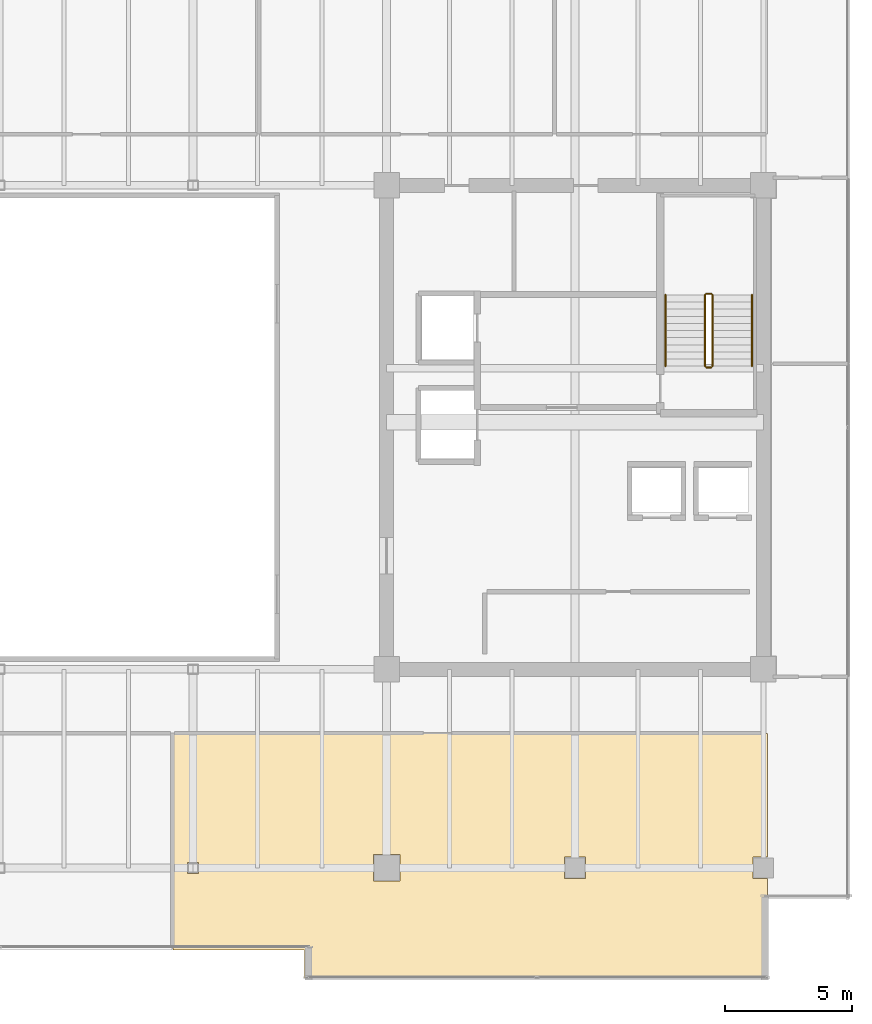
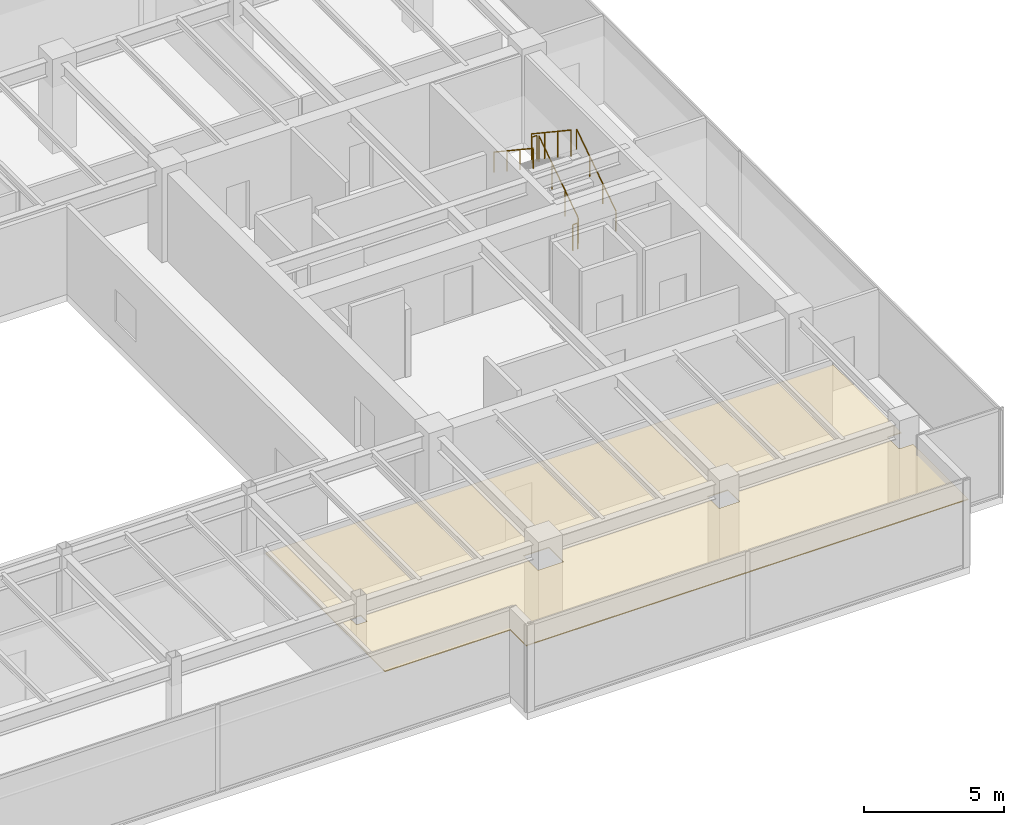
# One storey, part 34 of 35: 6 railings, 1 covering.
"""IFC4 building model written with IfcOpenShell, lengths in metres."""

from ifc_helpers import new_model, si_unit, direction, frame, origin, origin_2d, place, context, subcontext, project, spatial, polyline, circle, outline, extrude, source, transform, mapped, material, layer, layer_set, type_object, type_shapes, element, save


model = new_model("IFC4")

# Units and contexts
model_context = context("Model", 3, precision=1e-05, world=origin(), true_north=direction((0.0, 1.0)))
body_context = subcontext(model_context, "Body", "Model", "MODEL_VIEW")
ifc_project = project(units=[si_unit("LENGTHUNIT", "METRE"), si_unit("AREAUNIT", "SQUARE_METRE"), si_unit("VOLUMEUNIT", "CUBIC_METRE"), si_unit("PLANEANGLEUNIT", "RADIAN"), si_unit("MASSUNIT", "GRAM", prefix="KILO")], contexts=[model_context])

# Site, building, storey
site_placement = place(None, origin())
site = spatial("IfcSite", under=ifc_project, at=site_placement, CompositionType="ELEMENT")
building_placement = place(site_placement, origin())
building = spatial("IfcBuilding", under=site, at=building_placement, Name="Haelvirn Gate Laboratories", CompositionType="ELEMENT")
storey_placement = place(building_placement, frame((0.0, 0.0, 234.199951171875)))
storey = spatial("IfcBuildingStorey", under=building, at=storey_placement, Name="L56", CompositionType="ELEMENT", Elevation=234.199951171875)

# Covering
ifc_material_1 = material(Name="Micro-perforated acoustic mineral-fibre laboratory ceiling")
ifc_layer = layer(ifc_material_1, 0.0400390625, Name="COV-CEIL-ACT")
ifc_layer_set = layer_set([ifc_layer], Name="Micro-perforated acoustic mineral-fibre laboratory ceiling")
covering_type = type_object("IfcCoveringType", Name="COV-CEIL-ACT", PredefinedType="CEILING", material=ifc_layer_set)
covering_placement = place(storey_placement, frame((0.0, 0.0, 2.880126953125)))
element("IfcCovering", 1, at=covering_placement, inside=storey, type_object=covering_type, Name="L56 Laboratory Acoustic Ceiling CEIL-SP-L56-S-03", PredefinedType="CEILING", context=body_context, shape_type="SweptSolid", body=[
    extrude(outline(polyline([(67.550048828125, 7.419921875), (66.97998046875, 7.419921875), (66.97998046875, 6.580078125), (67.550048828125, 6.580078125), (67.550048828125, 2.64990234375), (49.3798828125, 2.64990234375), (49.3798828125, 3.780029296875), (44.219970703125, 3.780029296875), (44.219970703125, 12.280029296875), (67.550048828125, 12.280029296875), (67.550048828125, 7.419921875)]), holes=[polyline([(53.1201171875, 6.47998046875), (53.1201171875, 7.52001953125), (52.080078125, 7.52001953125), (52.080078125, 6.47998046875), (53.1201171875, 6.47998046875)]), polyline([(59.580078125, 6.580078125), (60.419921875, 6.580078125), (60.419921875, 7.419921875), (59.580078125, 7.419921875), (59.580078125, 6.580078125)]), polyline([(45.219970703125, 7.219970703125), (44.780029296875, 7.219970703125), (44.780029296875, 6.780029296875), (45.219970703125, 6.780029296875), (45.219970703125, 7.219970703125)])]), origin(), (0.0, 0.0, 1.0), 0.0400390625),
])

# Railings
ifc_material_2 = material(Name="Galvanised steel SM355 & stainless top rail", Category="steel")
railing_type_1 = type_object("IfcRailingType", Name="RL-GUARD-1150", PredefinedType="GUARDRAIL", material=ifc_material_2)
shared_shape_1 = source(origin(), body_context, "Body", "SweptSolid", [
    extrude(circle(Radius=0.02392578125, at=origin_2d()), frame((0.0, 0.0, 1.1259765625), z_axis=(0.0, 0.832485552168, 0.554046753832), x_axis=(-1.0, 0.0, 0.0)), (0.0, 0.0, 1.0), 3.363525390625),
    extrude(circle(Radius=0.02099609375, at=origin_2d()), origin(), (0.0, 0.0, 1.0), 1.101806640625),
    extrude(circle(Radius=0.02099609375, at=origin_2d()), frame((0.0, 0.933349609375, 0.62109375)), (0.0, 0.0, 1.0), 1.101806640625),
    extrude(circle(Radius=0.02099609375, at=origin_2d()), frame((0.0, 1.86669921875, 1.242431640625)), (0.0, 0.0, 1.0), 1.101806640625),
    extrude(circle(Radius=0.02099609375, at=origin_2d()), frame((0.0, 2.800048828125, 1.863525390625)), (0.0, 0.0, 1.0), 1.101806640625),
])
railing_1_placement = place(storey_placement, frame((65.39990234375, 26.699951171875, 0.1865234375)))
element("IfcRailing", 2, at=railing_1_placement, inside=storey, type_object=railing_type_1, Name="L56 ST2 stair guard 1", PredefinedType="GUARDRAIL", context=body_context, shape_type="MappedRepresentation", body=[
    mapped(shared_shape_1, transform((0.0, 0.0, 0.0), scale=1.0)),
])
shared_shape_2 = source(origin(), body_context, "Body", "SweptSolid", [
    extrude(circle(Radius=0.02392578125, at=origin_2d()), frame((0.0, 0.0, 1.1259765625), z_axis=(0.0, -0.832452072856, 0.554097055034), x_axis=(1.0, 0.0, 0.0)), (0.0, 0.0, 1.0), 3.363525390625),
    extrude(circle(Radius=0.02099609375, at=origin_2d()), origin(), (0.0, 0.0, 1.0), 1.101806640625),
    extrude(circle(Radius=0.02099609375, at=origin_2d()), frame((0.0, -0.933349609375, 0.621337890625)), (0.0, 0.0, 1.0), 1.101806640625),
    extrude(circle(Radius=0.02099609375, at=origin_2d()), frame((0.0, -1.86669921875, 1.242431640625)), (0.0, 0.0, 1.0), 1.101806640625),
    extrude(circle(Radius=0.02099609375, at=origin_2d()), frame((0.0, -2.800048828125, 1.86376953125)), (0.0, 0.0, 1.0), 1.101806640625),
])
railing_2_placement = place(storey_placement, frame((65.10009765625, 29.5, 2.236328125)))
element("IfcRailing", 3, at=railing_2_placement, inside=storey, type_object=railing_type_1, Name="L56 ST2 stair guard 3", PredefinedType="GUARDRAIL", context=body_context, shape_type="MappedRepresentation", body=[
    mapped(shared_shape_2, transform((0.0, 0.0, 0.0), scale=1.0)),
])
ifc_material_3 = material(Name="Brushed stainless steel 316L", Category="steel")
railing_type_2 = type_object("IfcRailingType", Name="RL-HAND-920", PredefinedType="HANDRAIL", material=ifc_material_3)
shared_shape_3 = source(origin(), body_context, "Body", "SweptSolid", [
    extrude(circle(Radius=0.02392578125, at=origin_2d()), frame((0.0, 0.0, 0.8759765625), z_axis=(0.0, 0.832485552168, 0.554046753832), x_axis=(-1.0, 0.0, 0.0)), (0.0, 0.0, 1.0), 3.363525390625),
    extrude(circle(Radius=0.02099609375, at=origin_2d()), origin(), (0.0, 0.0, 1.0), 0.851806640625),
    extrude(circle(Radius=0.02099609375, at=origin_2d()), frame((0.0, 0.933349609375, 0.62109375)), (0.0, 0.0, 1.0), 0.851806640625),
    extrude(circle(Radius=0.02099609375, at=origin_2d()), frame((0.0, 1.86669921875, 1.242431640625)), (0.0, 0.0, 1.0), 0.851806640625),
    extrude(circle(Radius=0.02099609375, at=origin_2d()), frame((0.0, 2.800048828125, 1.863525390625)), (0.0, 0.0, 1.0), 0.851806640625),
])
railing_3_placement = place(storey_placement, frame((66.949951171875, 26.699951171875, 0.1865234375)))
element("IfcRailing", 4, at=railing_3_placement, inside=storey, type_object=railing_type_2, Name="L56 ST2 stair handrail 1", PredefinedType="HANDRAIL", context=body_context, shape_type="MappedRepresentation", body=[
    mapped(shared_shape_3, transform((0.0, 0.0, 0.0), scale=1.0)),
])
shared_shape_4 = source(origin(), body_context, "Body", "SweptSolid", [
    extrude(circle(Radius=0.02392578125, at=origin_2d()), frame((0.0, 0.0, 0.8759765625), z_axis=(0.0, -0.832452072856, 0.554097055034), x_axis=(1.0, 0.0, 0.0)), (0.0, 0.0, 1.0), 3.363525390625),
    extrude(circle(Radius=0.02099609375, at=origin_2d()), origin(), (0.0, 0.0, 1.0), 0.851806640625),
    extrude(circle(Radius=0.02099609375, at=origin_2d()), frame((0.0, -0.933349609375, 0.621337890625)), (0.0, 0.0, 1.0), 0.851806640625),
    extrude(circle(Radius=0.02099609375, at=origin_2d()), frame((0.0, -1.86669921875, 1.242431640625)), (0.0, 0.0, 1.0), 0.851806640625),
    extrude(circle(Radius=0.02099609375, at=origin_2d()), frame((0.0, -2.800048828125, 1.86376953125)), (0.0, 0.0, 1.0), 0.851806640625),
])
type_shapes(railing_type_2, [shared_shape_3, shared_shape_4])
railing_4_placement = place(storey_placement, frame((63.550048828125, 29.5, 2.236328125)))
element("IfcRailing", 5, at=railing_4_placement, inside=storey, type_object=railing_type_2, Name="L56 ST2 stair handrail 2", PredefinedType="HANDRAIL", context=body_context, shape_type="MappedRepresentation", body=[
    mapped(shared_shape_4, transform((0.0, 0.0, 0.0), scale=1.0)),
])
shared_shape_5 = source(origin(), body_context, "Body", "SweptSolid", [
    extrude(circle(Radius=0.02392578125, at=origin_2d()), frame((0.0, 0.0, 1.1259765625), z_axis=(-1.0, 0.0, 0.0), x_axis=(0.0, -1.0, 0.0)), (0.0, 0.0, 1.0), 0.2001953125),
    extrude(circle(Radius=0.02099609375, at=origin_2d()), origin(), (0.0, 0.0, 1.0), 1.101806640625),
    extrude(circle(Radius=0.02099609375, at=origin_2d()), frame((-0.2001953125, 0.0, 0.0)), (0.0, 0.0, 1.0), 1.101806640625),
])
type_shapes(railing_type_1, [shared_shape_1, shared_shape_2, shared_shape_5])
for number, where, name in (
    (6, (65.35009765625, 29.550048828125, 2.050048828125), "L56 ST2 stair guard 2"),
    (7, (65.35009765625, 26.64990234375, 0.0), "L56 ST2 stair guard 4"),
):
    element("IfcRailing", number, at=place(storey_placement, frame(where)), inside=storey, type_object=railing_type_1, Name=name, PredefinedType="GUARDRAIL", context=body_context, shape_type="MappedRepresentation", body=[
        mapped(shared_shape_5, transform((0.0, 0.0, 0.0), scale=1.0)),
    ])

save(model, "model.ifc")
